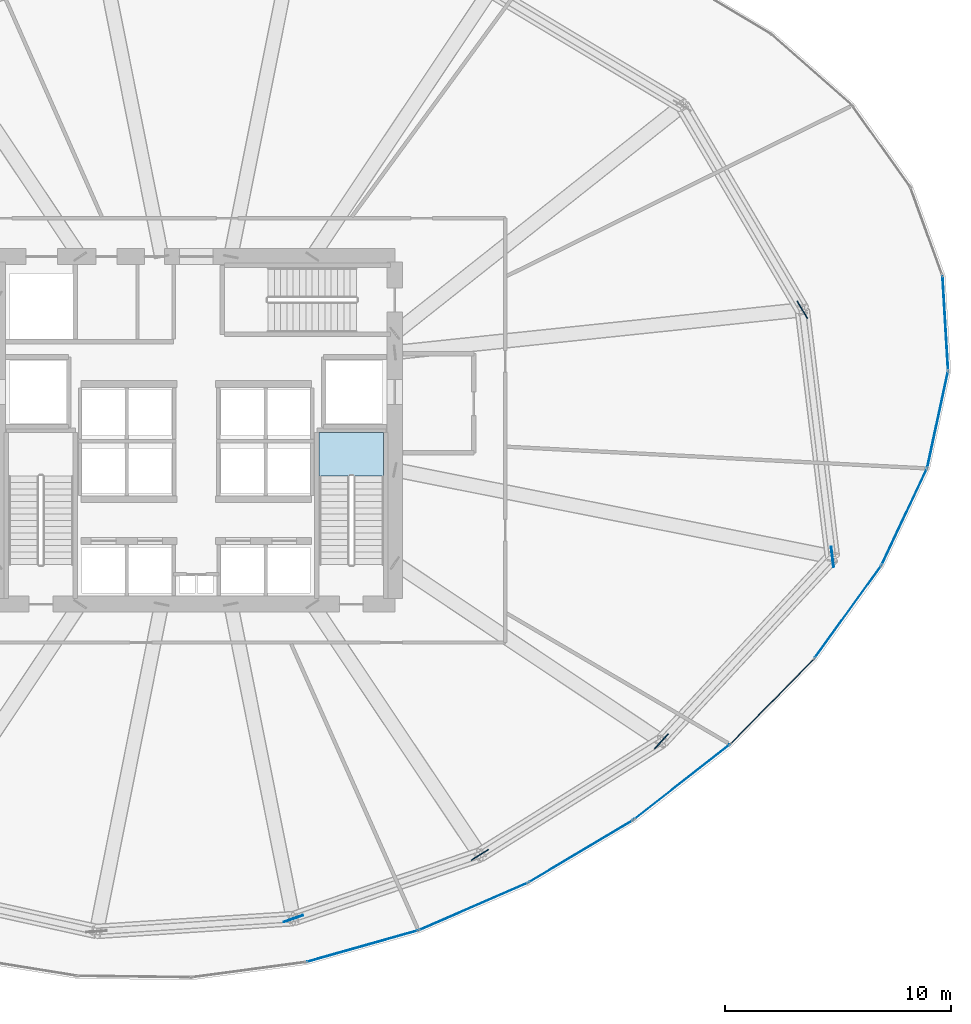
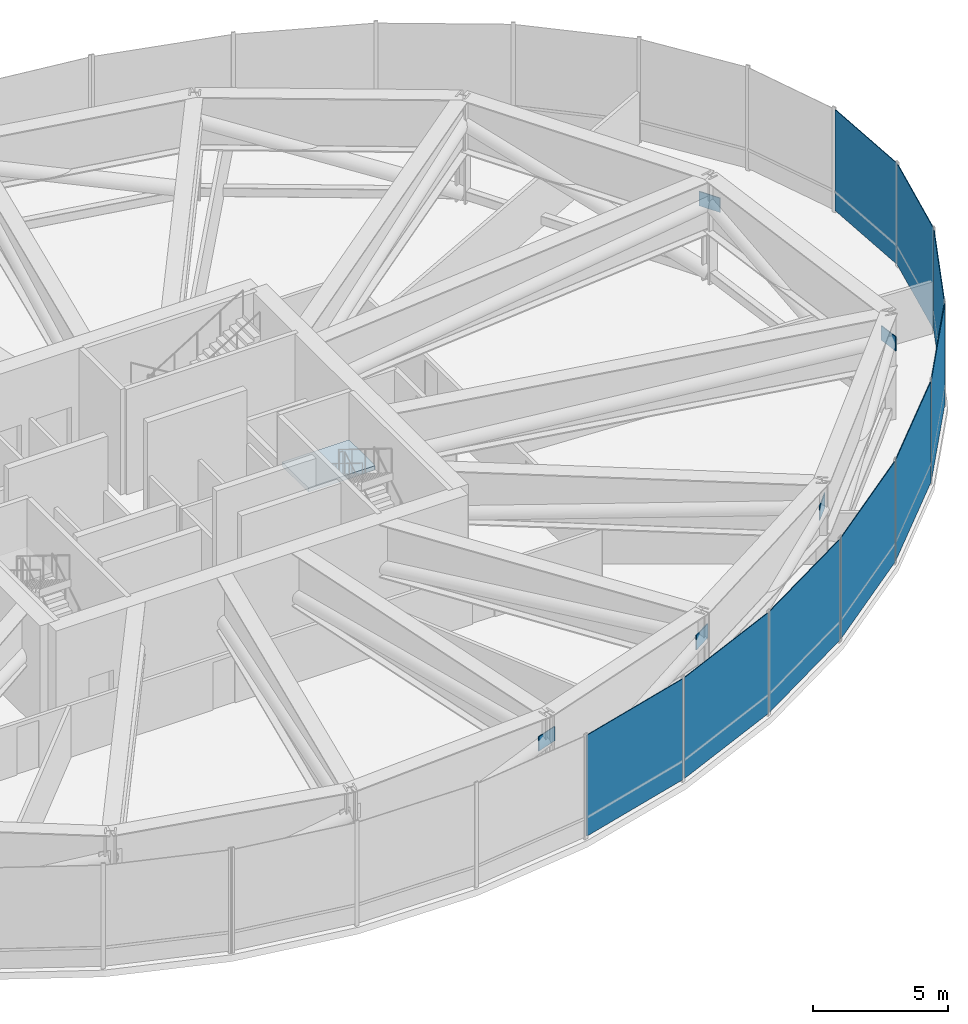
# One storey, part 28 of 33: 14 plates, 1 slab, 3 elements without a shape of their own.
"""IFC4 building model written with IfcOpenShell, lengths in metres."""

from ifc_helpers import new_model, si_unit, direction, frame, origin, origin_2d, place, context, subcontext, project, spatial, polyline, rectangle, outline, extrude, source, transform, mapped, material, layer, layer_set, type_object, element, aggregate, save


model = new_model("IFC4")

# Units and contexts
model_context = context("Model", 3, precision=1e-05, world=origin(), true_north=direction((0.0, 1.0)))
body_context = subcontext(model_context, "Body", "Model", "MODEL_VIEW")
ifc_project = project(units=[si_unit("LENGTHUNIT", "METRE"), si_unit("AREAUNIT", "SQUARE_METRE"), si_unit("VOLUMEUNIT", "CUBIC_METRE"), si_unit("PLANEANGLEUNIT", "RADIAN"), si_unit("MASSUNIT", "GRAM", prefix="KILO"), si_unit("THERMODYNAMICTEMPERATUREUNIT", "KELVIN")], contexts=[model_context])

# Site, building, storey
site_placement = place(None, origin())
site = spatial("IfcSite", under=ifc_project, at=site_placement, CompositionType="ELEMENT")
building_placement = place(site_placement, origin())
building = spatial("IfcBuilding", under=site, at=building_placement, Name="Kethvar Cultural Tower", CompositionType="ELEMENT")
storey_placement = place(building_placement, frame((0.0, 0.0, 80.39990234375)))
storey = spatial("IfcBuildingStorey", under=building, at=storey_placement, Name="L19", CompositionType="ELEMENT", Elevation=80.39990234375)

# Stair, slab
ifc_material_1 = material(Name="Concrete C40/50", Category="concrete")
stair_type = type_object("IfcStairType", Name="ST-DOGLEG-135", PredefinedType="HALF_TURN_STAIR", material=ifc_material_1)
stair_placement = place(storey_placement, origin())
stair = element("IfcStair", 1, at=stair_placement, inside=storey, type_object=stair_type, Name="L19 Core Exit Stair 2", PredefinedType="HALF_TURN_STAIR")
ifc_layer_1 = layer(ifc_material_1, 0.199951171875, Name="Concrete C40/50", Category="concrete")
ifc_layer_set_1 = layer_set([ifc_layer_1], Name="Concrete C40/50 (200 mm)")
slab_type = type_object("IfcSlabType", Name="SL-STAIR-LANDING-200", PredefinedType="LANDING", material=ifc_layer_set_1)
slab_placement = place(storey_placement, frame((0.0, 0.0, 2.400146484375)))
slab = element("IfcSlab", 2, at=slab_placement, type_object=slab_type, Name="ST-02 landing 1", PredefinedType="LANDING", context=body_context, shape_type="SweptSolid", body=[
    extrude(outline(polyline([(55.110107421875, 25.77001953125), (55.110107421875, 27.699951171875), (52.25, 27.699951171875), (52.25, 25.77001953125), (55.110107421875, 25.77001953125)])), origin(), (0.0, 0.0, 1.0), 0.199951171875),
])
aggregate(stair, [slab])

# Plates
ifc_material_2 = material(Name="Steel S460M", Category="steel")
ifc_layer_2 = layer(ifc_material_2, 0.0400390625, Name="Steel S460M", Category="steel")
ifc_layer_set_2 = layer_set([ifc_layer_2], Name="Steel S460M (40 mm)")
plate_type_1 = type_object("IfcPlateType", Name="PL-GUSSET-900", PredefinedType="USERDEFINED", material=ifc_layer_set_2)
shared_shape_1 = source(origin(), body_context, "Body", "SweptSolid", [
    extrude(rectangle(XDim=0.89990234375, YDim=0.0400390625, at=origin_2d()), origin(), (0.0, 0.0, 1.0), 0.64990234375),
])
for number, where, z_axis, x_axis, name in (
    (3, (73.65673828125, 33.14208984375, 3.233154296875), (0.0, 0.0, 1.0), (-0.506886053635, 0.862013067552, 0.0), "L19 Belt-Truss Node Gusset Plate GP-01"),
    (4, (51.10400390625, 6.16259765625, 3.233154296875), (0.0, 0.0, 1.0), (0.946290585013, 0.323317380782, 0.0), "L19 Belt-Truss Node Gusset Plate GP-13"),
    (5, (59.370361328125, 8.987060546875, 3.233154296875), (0.0, 0.0, 1.0), (0.847704667094, 0.530468469739, 0.0), "L19 Belt-Truss Node Gusset Plate GP-14"),
    (6, (67.41845703125, 14.023193359375, 3.233154296875), (0.0, 0.0, 1.0), (0.679834153714, 0.733365886474, 0.0), "L19 Belt-Truss Node Gusset Plate GP-15"),
    (7, (74.9912109375, 22.1923828125, 3.233154296875), (0.0, 0.0, 1.0), (-0.120970277056, 0.99265612982, 0.0), "L19 Belt-Truss Node Gusset Plate GP-16"),
):
    element("IfcPlate", number, at=place(storey_placement, frame(where, z_axis=z_axis, x_axis=x_axis)), inside=storey, type_object=plate_type_1, Name=name, ObjectType="GUSSET_PLATE", PredefinedType="USERDEFINED", context=body_context, shape_type="MappedRepresentation", body=[
        mapped(shared_shape_1, transform((0.0, 0.0, 0.0), scale=1.0)),
    ])

# Curtain wall, plates
ifc_material_3 = material(Name="Aluminium 6063-T6", Category="aluminium")
ifc_layer_3 = layer(ifc_material_3, 0.179931640625, Name="Aluminium 6063-T6", Category="aluminium")
ifc_layer_set_3 = layer_set([ifc_layer_3], Name="Aluminium 6063-T6 (180 mm)")
curtain_wall_type = type_object("IfcCurtainWallType", Name="CW-SYS-02-Z1", PredefinedType="NOTDEFINED", material=ifc_layer_set_3)
curtain_wall_1_placement = place(storey_placement, origin())
curtain_wall_1 = element("IfcCurtainWall", 8, at=curtain_wall_1_placement, inside=storey, type_object=curtain_wall_type, Name="L19 Curtain Wall Run 06", PredefinedType="NOTDEFINED")
ifc_material_4 = material(Name="Insulated Low-E Solar Glass", Category="glass")
ifc_layer_4 = layer(ifc_material_4, 0.031982421875, Name="Insulated Low-E Solar Glass", Category="glass")
ifc_layer_set_4 = layer_set([ifc_layer_4], Name="Insulated Low-E Solar Glass (32 mm)")
plate_type_2 = type_object("IfcPlateType", Name="CW-SYS-02-Z1-PNL", PredefinedType="CURTAIN_PANEL", material=ifc_layer_set_4)
shared_shape_2 = source(origin(), body_context, "Body", "SweptSolid", [
    extrude(rectangle(XDim=4.357177734375, YDim=0.031982421875, at=origin_2d()), origin(), (0.0, 0.0, 1.0), 4.56005859375),
])
plate_1_placement = place(storey_placement, frame((79.655029296875, 28.287353515625, 0.10009765625), z_axis=(0.0, 0.0, 1.0), x_axis=(0.210318196186, 0.977632986531, 0.0)))
plate_1 = element("IfcPlate", 9, at=plate_1_placement, type_object=plate_type_2, Name="CW-L19-R06 Vision Glazing Panel 5", PredefinedType="CURTAIN_PANEL", context=body_context, shape_type="MappedRepresentation", body=[
    mapped(shared_shape_2, transform((0.0, 0.0, 0.0), scale=1.0)),
])
shared_shape_3 = source(origin(), body_context, "Body", "SweptSolid", [
    extrude(rectangle(XDim=5.010986328125, YDim=0.031982421875, at=origin_2d()), origin(), (0.0, 0.0, 1.0), 4.56005859375),
])
plate_2_placement = place(storey_placement, frame((75.68212890625, 19.762939453125, 0.10009765625), z_axis=(0.0, 0.0, 1.0), x_axis=(0.584136342838, 0.811655550696, 0.0)))
plate_2 = element("IfcPlate", 10, at=plate_2_placement, type_object=plate_type_2, Name="CW-L19-R06 Vision Glazing Panel 3", PredefinedType="CURTAIN_PANEL", context=body_context, shape_type="MappedRepresentation", body=[
    mapped(shared_shape_3, transform((0.0, 0.0, 0.0), scale=1.0)),
])
shared_shape_4 = source(origin(), body_context, "Body", "SweptSolid", [
    extrude(rectangle(XDim=5.251953125, YDim=0.031982421875, at=origin_2d()), origin(), (0.0, 0.0, 1.0), 4.56005859375),
])
plate_3_placement = place(storey_placement, frame((72.33251953125, 15.79638671875, 0.10009765625), z_axis=(0.0, 0.0, 1.0), x_axis=(0.699875298024, 0.714265053895, 0.0)))
plate_3 = element("IfcPlate", 11, at=plate_3_placement, type_object=plate_type_2, Name="CW-L19-R06 Vision Glazing Panel 2", PredefinedType="CURTAIN_PANEL", context=body_context, shape_type="MappedRepresentation", body=[
    mapped(shared_shape_4, transform((0.0, 0.0, 0.0), scale=1.0)),
])

curtain_wall_2_placement = place(storey_placement, origin())
curtain_wall_2 = element("IfcCurtainWall", 12, at=curtain_wall_2_placement, inside=storey, type_object=curtain_wall_type, Name="L19 Curtain Wall Run 05", PredefinedType="NOTDEFINED")
shared_shape_5 = source(origin(), body_context, "Body", "SweptSolid", [
    extrude(rectangle(XDim=5.3427734375, YDim=0.031982421875, at=origin_2d()), origin(), (0.0, 0.0, 1.0), 4.56005859375),
])
plate_4_placement = place(storey_placement, frame((63.852783203125, 9.154296875, 0.10009765625), z_axis=(0.0, 0.0, 1.0), x_axis=(0.858736394323, 0.512417608074, 0.0)))
plate_4 = element("IfcPlate", 13, at=plate_4_placement, type_object=plate_type_2, Name="CW-L19-R05 Vision Glazing Panel 6", PredefinedType="CURTAIN_PANEL", context=body_context, shape_type="MappedRepresentation", body=[
    mapped(shared_shape_5, transform((0.0, 0.0, 0.0), scale=1.0)),
])
shared_shape_6 = source(origin(), body_context, "Body", "SweptSolid", [
    extrude(rectangle(XDim=5.23095703125, YDim=0.031982421875, at=origin_2d()), origin(), (0.0, 0.0, 1.0), 4.56005859375),
])
plate_5_placement = place(storey_placement, frame((59.091064453125, 6.7060546875, 0.10009765625), z_axis=(0.0, 0.0, 1.0), x_axis=(0.916906898134, 0.399101165312, 0.0)))
plate_5 = element("IfcPlate", 14, at=plate_5_placement, type_object=plate_type_2, Name="CW-L19-R05 Vision Glazing Panel 5", PredefinedType="CURTAIN_PANEL", context=body_context, shape_type="MappedRepresentation", body=[
    mapped(shared_shape_6, transform((0.0, 0.0, 0.0), scale=1.0)),
])
shared_shape_7 = source(origin(), body_context, "Body", "SweptSolid", [
    extrude(rectangle(XDim=5.09619140625, YDim=0.031982421875, at=origin_2d()), origin(), (0.0, 0.0, 1.0), 4.56005859375),
])
plate_6_placement = place(storey_placement, frame((54.16796875, 4.9443359375, 0.10009765625), z_axis=(0.0, 0.0, 1.0), x_axis=(0.962412586814, 0.271591628631, 0.0)))
plate_6 = element("IfcPlate", 15, at=plate_6_placement, type_object=plate_type_2, Name="CW-L19-R05 Vision Glazing Panel 4", PredefinedType="CURTAIN_PANEL", context=body_context, shape_type="MappedRepresentation", body=[
    mapped(shared_shape_7, transform((0.0, 0.0, 0.0), scale=1.0)),
])
aggregate(curtain_wall_2, [plate_6, plate_5, plate_4])

# Plate
shared_shape_8 = source(origin(), body_context, "Body", "SweptSolid", [
    extrude(rectangle(XDim=5.362060546875, YDim=0.031982421875, at=origin_2d()), origin(), (0.0, 0.0, 1.0), 4.56005859375),
])
plate_7_placement = place(storey_placement, frame((68.32421875, 12.21826171875, 0.10009765625), z_axis=(0.0, 0.0, 1.0), x_axis=(0.788000008167, 0.615675228614, 0.0)))
plate_7 = element("IfcPlate", 16, at=plate_7_placement, type_object=plate_type_2, Name="CW-L19-R06 Vision Glazing Panel 1", PredefinedType="CURTAIN_PANEL", context=body_context, shape_type="MappedRepresentation", body=[
    mapped(shared_shape_8, transform((0.0, 0.0, 0.0), scale=1.0)),
])

shared_shape_9 = source(origin(), body_context, "Body", "SweptSolid", [
    extrude(rectangle(XDim=4.68310546875, YDim=0.031982421875, at=origin_2d()), origin(), (0.0, 0.0, 1.0), 4.56005859375),
])
plate_8_placement = place(storey_placement, frame((78.1787109375, 23.9765625, 0.10009765625), z_axis=(0.0, 0.0, 1.0), x_axis=(0.425795083711, 0.904819621078, 0.0)))
plate_8 = element("IfcPlate", 17, at=plate_8_placement, type_object=plate_type_2, Name="CW-L19-R06 Vision Glazing Panel 4", PredefinedType="CURTAIN_PANEL", context=body_context, shape_type="MappedRepresentation", body=[
    mapped(shared_shape_9, transform((0.0, 0.0, 0.0), scale=1.0)),
])

shared_shape_10 = source(origin(), body_context, "Body", "SweptSolid", [
    extrude(rectangle(XDim=4.149658203125, YDim=0.031982421875, at=origin_2d()), origin(), (0.0, 0.0, 1.0), 4.56005859375),
])
plate_9_placement = place(storey_placement, frame((79.995361328125, 32.54833984375, 0.10009765625), z_axis=(0.0, 0.0, 1.0), x_axis=(-0.059114724195, 0.998251195533, 0.0)))
plate_9 = element("IfcPlate", 18, at=plate_9_placement, type_object=plate_type_2, Name="CW-L19-R06 Vision Glazing Panel 6", PredefinedType="CURTAIN_PANEL", context=body_context, shape_type="MappedRepresentation", body=[
    mapped(shared_shape_10, transform((0.0, 0.0, 0.0), scale=1.0)),
])

aggregate(curtain_wall_1, [plate_7, plate_3, plate_2, plate_8, plate_1, plate_9])

save(model, "model.ifc")
